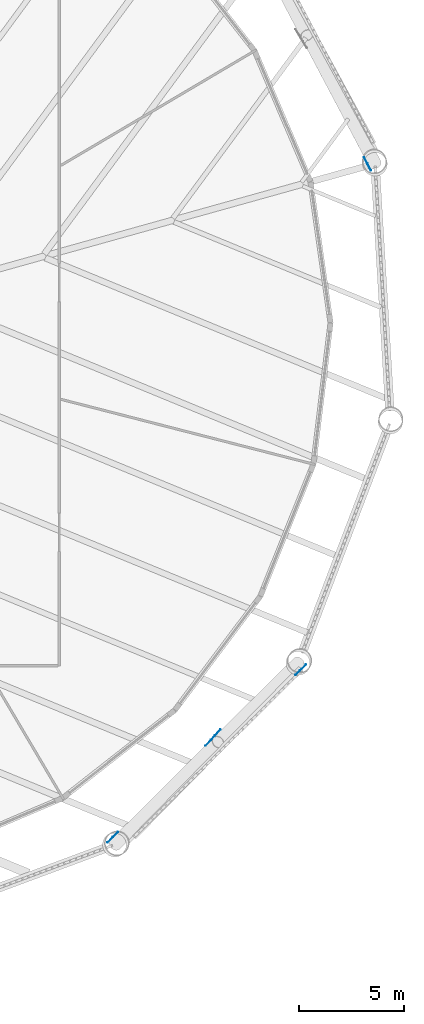
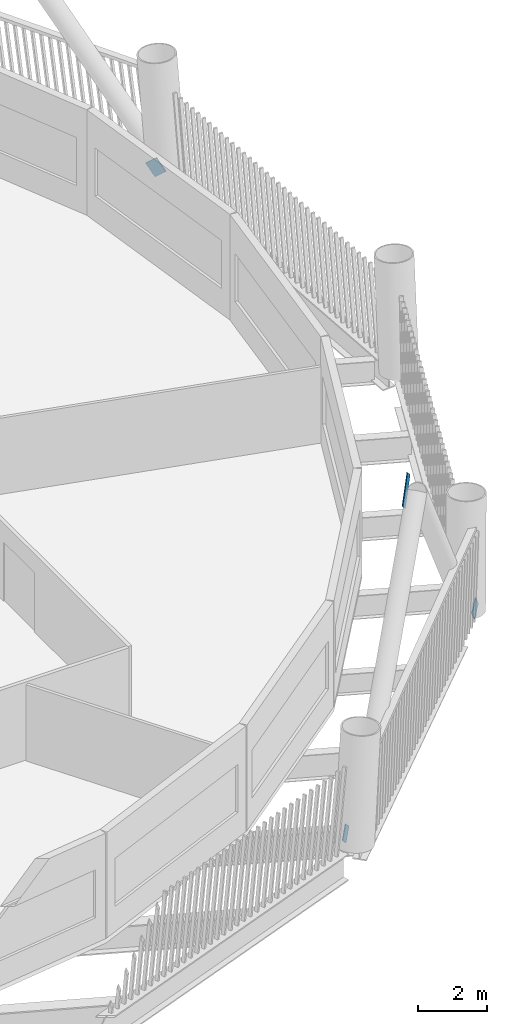
# One storey, part 11 of 23: 4 discrete accessories.
"""IFC4 building model written with IfcOpenShell, lengths in metres."""

from ifc_helpers import new_model, si_unit, direction, frame, origin, origin_2d, place, context, subcontext, project, spatial, rectangle, extrude, material, material_profile, profile_set, type_object, element, save


model = new_model("IFC4")

# Units and contexts
model_context = context("Model", 3, precision=1e-05, world=origin(), true_north=direction((0.0, 1.0)))
body_context = subcontext(model_context, "Body", "Model", "MODEL_VIEW")
ifc_project = project(units=[si_unit("LENGTHUNIT", "METRE"), si_unit("AREAUNIT", "SQUARE_METRE"), si_unit("VOLUMEUNIT", "CUBIC_METRE"), si_unit("PLANEANGLEUNIT", "RADIAN"), si_unit("MASSUNIT", "GRAM", prefix="KILO")], contexts=[model_context])

# Site, building, storey
site_placement = place(None, origin())
site = spatial("IfcSite", under=ifc_project, at=site_placement, CompositionType="ELEMENT")
building_placement = place(site_placement, origin())
building = spatial("IfcBuilding", under=site, at=building_placement, Name="Tarsis Ring Headquarters", CompositionType="ELEMENT")
storey_placement = place(building_placement, frame((0.0, 0.0, 124.0)))
storey = spatial("IfcBuildingStorey", under=building, at=storey_placement, Name="L28", CompositionType="ELEMENT", Elevation=124.0)

# Discrete accessories
ifc_material = material(Name="Structural steel S355", Category="steel")
ifc_material_profile = material_profile(ifc_material, rectangle(XDim=0.02490234375, YDim=0.5, at=origin_2d()), Name="PL 25x500")
ifc_profile_set = profile_set([ifc_material_profile], Name="Structural steel S355")
discrete_accessory_type = type_object("IfcDiscreteAccessoryType", Name="Gusset plate Exo brace 25", PredefinedType="BRACKET", material=ifc_profile_set)
discrete_accessory_1_placement = place(storey_placement, frame((15.4150390625, -24.25439453125, 0.0), z_axis=(0.46982559433, 0.466895289168, 0.749181353121), x_axis=(-0.70489131929, 0.709315323386, 0.0)))
element("IfcDiscreteAccessory", 1, at=discrete_accessory_1_placement, inside=storey, type_object=discrete_accessory_type, Name="Gusset plate GP5", PredefinedType="BRACKET", context=body_context, shape_type="SweptSolid", body=[
    extrude(rectangle(XDim=0.02490234375, YDim=0.5, at=origin_2d()), origin(), (0.0, 0.0, 1.0), 0.5),
])
discrete_accessory_2_placement = place(storey_placement, frame((20.07177734375, -19.650634765625, 7.4267578125), z_axis=(0.4463143222, 0.493680284184, 0.746380132913), x_axis=(-0.741796460983, 0.670625089356, 0.0)))
element("IfcDiscreteAccessory", 2, at=discrete_accessory_2_placement, inside=storey, type_object=discrete_accessory_type, Name="Gusset plate GP5", PredefinedType="BRACKET", context=body_context, shape_type="SweptSolid", body=[
    extrude(rectangle(XDim=0.02490234375, YDim=0.5, at=origin_2d()), origin(), (0.0, 0.0, 1.0), 1.0),
])
for number, where, z_axis, x_axis, name in (
    (3, (24.5615234375, -16.082763671875, 0.0), (-0.402344277595, -0.397461458692, 0.824708112692), (0.702776793461, -0.711410415002, 0.0), "Gusset plate GP5"),
    (4, (27.697998046875, 7.663330078125, 0.0), (-0.309540498653, 0.585881070005, 0.748951301156), (-0.884181899859, -0.467142770426, 0.0), "Gusset plate GP5"),
):
    element("IfcDiscreteAccessory", number, at=place(storey_placement, frame(where, z_axis=z_axis, x_axis=x_axis)), inside=storey, type_object=discrete_accessory_type, Name=name, PredefinedType="BRACKET", context=body_context, shape_type="SweptSolid", body=[
        extrude(rectangle(XDim=0.02490234375, YDim=0.5, at=origin_2d()), origin(), (0.0, 0.0, 1.0), 0.5),
    ])

save(model, "model.ifc")
